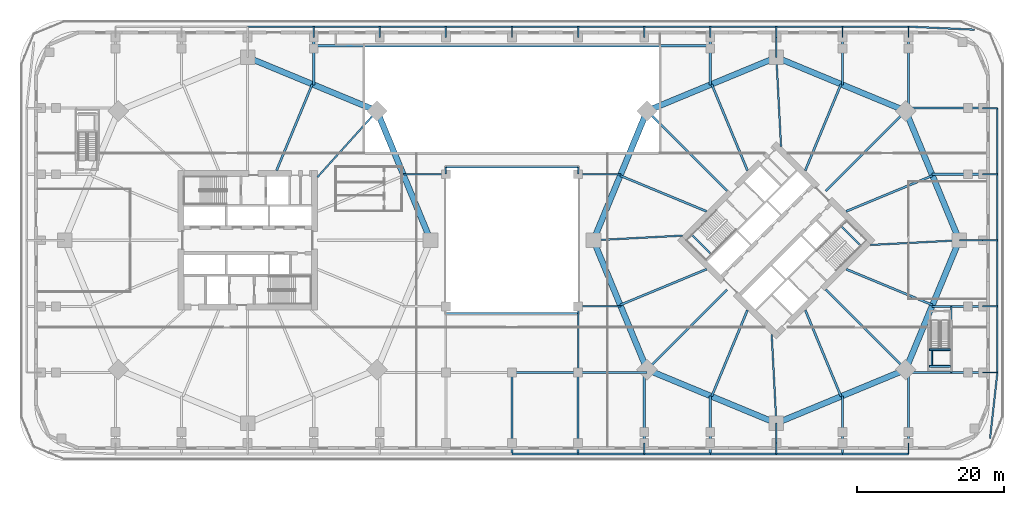
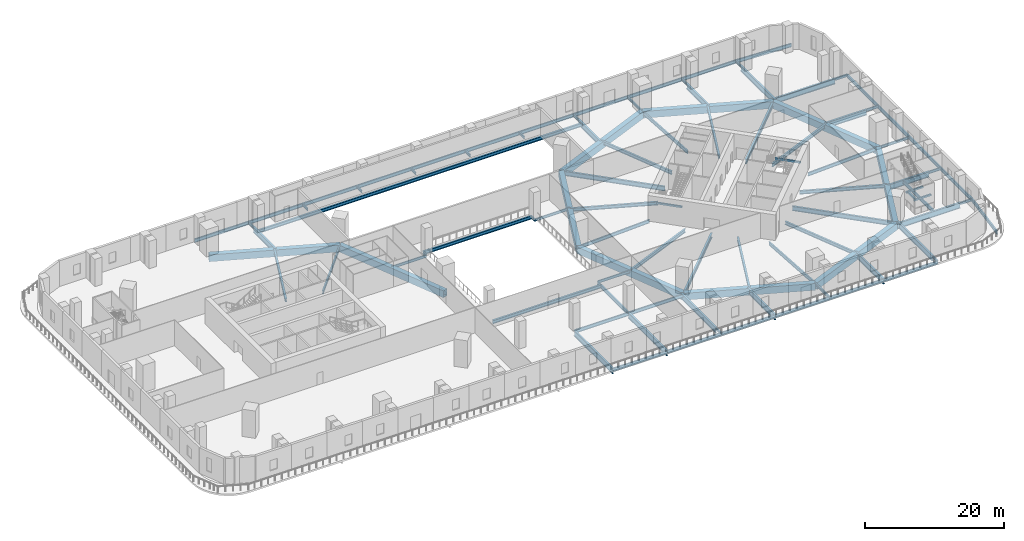
# One storey, part 2 of 17: 102 beams.
"""IFC4 building model written with IfcOpenShell, lengths in metres."""

from ifc_helpers import new_model, si_unit, direction, frame, origin, origin_2d, place, context, subcontext, project, spatial, rectangle, hollow_rectangle, i_section, extrude, material, material_profile, profile_set, type_object, element, save


model = new_model("IFC4")

# Units and contexts
model_context = context("Model", 3, precision=1e-05, world=origin(), true_north=direction((0.0, 1.0)))
body_context = subcontext(model_context, "Body", "Model", "MODEL_VIEW")
ifc_project = project(units=[si_unit("LENGTHUNIT", "METRE"), si_unit("AREAUNIT", "SQUARE_METRE"), si_unit("VOLUMEUNIT", "CUBIC_METRE"), si_unit("PLANEANGLEUNIT", "RADIAN"), si_unit("MASSUNIT", "GRAM", prefix="KILO")], contexts=[model_context])

# Site, building, storey
site_placement = place(None, origin())
site = spatial("IfcSite", under=ifc_project, at=site_placement, CompositionType="ELEMENT")
building_placement = place(site_placement, origin())
building = spatial("IfcBuilding", under=site, at=building_placement, Name="Ogive Gate Towers", CompositionType="ELEMENT")
storey_placement = place(building_placement, frame((0.0, 0.0, 18.0)))
storey = spatial("IfcBuildingStorey", under=building, at=storey_placement, Name="L03", CompositionType="ELEMENT", Elevation=18.0)

# Beams
ifc_material_1 = material(Name="Steel SM460", Category="steel")
ifc_material_profile_1 = material_profile(ifc_material_1, hollow_rectangle(XDim=0.800048828125, YDim=1.199951171875, WallThickness=0.050048828125, at=origin_2d()), Name="BX 1200x800x50")
ifc_profile_set_1 = profile_set([ifc_material_profile_1], Name="Steel SM460")
beam_type_1 = type_object("IfcBeamType", Name="Edge girder BX 1200x800x50", PredefinedType="BEAM", material=ifc_profile_set_1)
for number, where, z_axis, x_axis, name in (
    (1, (-11.090087890625, 0.0, -0.89990234375), (-0.382680526191, 0.923880736283, 0.0), (-0.923880736283, -0.382680526191, 0.0), "T1/L03/SBM020"),
    (2, (-18.385986328125, 17.614013671875, -0.89990234375), (-0.923880736283, 0.382680526191, 0.0), (-0.382680526191, -0.923880736283, 0.0), "T1/L03/SBM021"),
    (3, (18.385986328125, -17.614013671875, -0.89990234375), (0.923880736283, -0.382680526191, 0.0), (0.382680526191, 0.923880736283, 0.0), "T2/L03/SBM017"),
    (4, (36.0, -24.909912109375, -0.89990234375), (0.923880736283, 0.382680526191, 0.0), (-0.382680526191, 0.923880736283, 0.0), "T2/L03/SBM018"),
    (5, (53.614013671875, -17.614013671875, -0.89990234375), (0.382680526191, 0.923880736283, 0.0), (-0.923880736283, 0.382680526191, 0.0), "T2/L03/SBM019"),
    (6, (60.909912109375, 0.0, -0.89990234375), (-0.382680526191, 0.923880736283, 0.0), (-0.923880736283, -0.382680526191, 0.0), "T2/L03/SBM020"),
    (7, (53.614013671875, 17.614013671875, -0.89990234375), (-0.923880736283, 0.382680526191, 0.0), (-0.382680526191, -0.923880736283, 0.0), "T2/L03/SBM021"),
    (8, (36.0, 24.909912109375, -0.89990234375), (-0.923880736283, -0.382680526191, 0.0), (0.382680526191, -0.923880736283, 0.0), "T2/L03/SBM022"),
    (9, (18.385986328125, 17.614013671875, -0.89990234375), (-0.382680526191, -0.923880736283, 0.0), (0.923880736283, -0.382680526191, 0.0), "T2/L03/SBM023"),
    (10, (11.090087890625, 0.0, -0.89990234375), (0.382680526191, -0.923880736283, 0.0), (0.923880736283, 0.382680526191, 0.0), "T2/L03/SBM024"),
):
    element("IfcBeam", number, at=place(storey_placement, frame(where, z_axis=z_axis, x_axis=x_axis)), inside=storey, type_object=beam_type_1, Name=name, PredefinedType="BEAM", context=body_context, shape_type="SweptSolid", body=[
        extrude(hollow_rectangle(XDim=0.800048828125, YDim=1.199951171875, WallThickness=0.050048828125, at=origin_2d()), origin(), (0.0, 0.0, 1.0), 19.065185546875),
    ])
ifc_material_2 = material(Name="Steel SM355", Category="steel")
ifc_material_profile_2 = material_profile(ifc_material_2, i_section(OverallWidth=0.300048828125, OverallDepth=0.590087890625, WebThickness=0.012939453125, FlangeThickness=0.02490234375, FilletRadius=0.027099609375, at=origin_2d()), Name="HE 600 A")
ifc_profile_set_2 = profile_set([ifc_material_profile_2], Name="Steel SM355")
beam_type_2 = type_object("IfcBeamType", Name="Floor beam HE 600 A", PredefinedType="BEAM", material=ifc_profile_set_2)
for number, where, z_axis, x_axis, name in (
    (11, (-9.0, -10.0, -0.594970703125), (1.0, 0.0, 0.0), (0.0, 1.0, 0.0), "PD/L03/SBM105"),
    (12, (-9.0, 10.0, -0.594970703125), (1.0, 0.0, 0.0), (0.0, 1.0, 0.0), "PD/L03/SBM106"),
):
    element("IfcBeam", number, at=place(storey_placement, frame(where, z_axis=z_axis, x_axis=x_axis)), inside=storey, type_object=beam_type_2, Name=name, PredefinedType="BEAM", context=body_context, shape_type="SweptSolid", body=[
        extrude(i_section(OverallWidth=0.300048828125, OverallDepth=0.590087890625, WebThickness=0.012939453125, FlangeThickness=0.02490234375, FilletRadius=0.027099609375, at=origin_2d()), origin(), (0.0, 0.0, 1.0), 18.0),
    ])
beam_1_placement = place(storey_placement, frame((-27.0, 26.5, -0.594970703125), z_axis=(1.0, 0.0, 0.0), x_axis=(0.0, 1.0, 0.0)))
element("IfcBeam", 13, at=beam_1_placement, inside=storey, type_object=beam_type_2, Name="PD/L03/SBM109", PredefinedType="BEAM", context=body_context, shape_type="SweptSolid", body=[
    extrude(i_section(OverallWidth=0.300048828125, OverallDepth=0.590087890625, WebThickness=0.012939453125, FlangeThickness=0.02490234375, FilletRadius=0.027099609375, at=origin_2d()), origin(), (0.0, 0.0, 1.0), 54.0),
])
ifc_material_profile_3 = material_profile(ifc_material_2, i_section(OverallWidth=0.18994140625, OverallDepth=0.449951171875, WebThickness=0.009521484375, FlangeThickness=0.0146484375, FilletRadius=0.02099609375, at=origin_2d()), Name="IPE 450")
ifc_profile_set_3 = profile_set([ifc_material_profile_3], Name="Steel SM355")
beam_type_3 = type_object("IfcBeamType", Name="Floor beam IPE 450", PredefinedType="BEAM", material=ifc_profile_set_3)
for number, where, z_axis, x_axis, name in (
    (14, (-27.0, 27.60009765625, -0.52490234375), (0.0, 1.0, 0.0), (-1.0, 0.0, 0.0), "PD/L03/SBM033"),
    (15, (-18.0, 27.60009765625, -0.52490234375), (0.0, 1.0, 0.0), (-1.0, 0.0, 0.0), "PD/L03/SBM035"),
    (16, (-9.0, 27.60009765625, -0.52490234375), (0.0, 1.0, 0.0), (-1.0, 0.0, 0.0), "PD/L03/SBM037"),
    (17, (0.0, 27.60009765625, -0.52490234375), (0.0, 1.0, 0.0), (-1.0, 0.0, 0.0), "PD/L03/SBM038"),
    (18, (9.0, 27.60009765625, -0.52490234375), (0.0, 1.0, 0.0), (-1.0, 0.0, 0.0), "PD/L03/SBM040"),
    (19, (18.0, -29.10009765625, -0.52490234375), (0.0, 1.0, 0.0), (-1.0, 0.0, 0.0), "PD/L03/SBM041"),
    (20, (18.0, 27.60009765625, -0.52490234375), (0.0, 1.0, 0.0), (-1.0, 0.0, 0.0), "PD/L03/SBM042"),
    (21, (27.0, 27.60009765625, -0.52490234375), (0.0, 1.0, 0.0), (-1.0, 0.0, 0.0), "PD/L03/SBM043"),
    (22, (36.0, -29.10009765625, -0.52490234375), (0.0, 1.0, 0.0), (-1.0, 0.0, 0.0), "PD/L03/SBM044"),
):
    element("IfcBeam", number, at=place(storey_placement, frame(where, z_axis=z_axis, x_axis=x_axis)), inside=storey, type_object=beam_type_3, Name=name, PredefinedType="BEAM", context=body_context, shape_type="SweptSolid", body=[
        extrude(i_section(OverallWidth=0.18994140625, OverallDepth=0.449951171875, WebThickness=0.009521484375, FlangeThickness=0.0146484375, FilletRadius=0.02099609375, at=origin_2d()), origin(), (0.0, 0.0, 1.0), 1.5),
    ])
for number, where, z_axis, x_axis, name in (
    (23, (36.0, -27.60009765625, -0.52490234375), (0.0, 1.0, 0.0), (-1.0, 0.0, 0.0), "PD/L03/SBM045"),
    (24, (36.0, 24.909912109375, -0.52490234375), (0.0, 1.0, 0.0), (-1.0, 0.0, 0.0), "PD/L03/SBM046"),
):
    element("IfcBeam", number, at=place(storey_placement, frame(where, z_axis=z_axis, x_axis=x_axis)), inside=storey, type_object=beam_type_3, Name=name, PredefinedType="BEAM", context=body_context, shape_type="SweptSolid", body=[
        extrude(i_section(OverallWidth=0.18994140625, OverallDepth=0.449951171875, WebThickness=0.009521484375, FlangeThickness=0.0146484375, FilletRadius=0.02099609375, at=origin_2d()), origin(), (0.0, 0.0, 1.0), 2.690185546875),
    ])
for number, where, z_axis, x_axis, name in (
    (25, (36.0, 27.60009765625, -0.52490234375), (0.0, 1.0, 0.0), (-1.0, 0.0, 0.0), "PD/L03/SBM047"),
    (26, (45.0, 27.60009765625, -0.52490234375), (0.0, 1.0, 0.0), (-1.0, 0.0, 0.0), "PD/L03/SBM048"),
    (27, (54.0, -29.10009765625, -0.52490234375), (0.0, 1.0, 0.0), (-1.0, 0.0, 0.0), "PD/L03/SBM049"),
    (28, (54.0, 27.60009765625, -0.52490234375), (0.0, 1.0, 0.0), (-1.0, 0.0, 0.0), "PD/L03/SBM050"),
):
    element("IfcBeam", number, at=place(storey_placement, frame(where, z_axis=z_axis, x_axis=x_axis)), inside=storey, type_object=beam_type_3, Name=name, PredefinedType="BEAM", context=body_context, shape_type="SweptSolid", body=[
        extrude(i_section(OverallWidth=0.18994140625, OverallDepth=0.449951171875, WebThickness=0.009521484375, FlangeThickness=0.0146484375, FilletRadius=0.02099609375, at=origin_2d()), origin(), (0.0, 0.0, 1.0), 1.5),
    ])
for number, where, z_axis, x_axis, name in (
    (29, (64.10009765625, -18.0, -0.52490234375), (1.0, 0.0, 0.0), (0.0, 1.0, 0.0), "PD/L03/SBM056"),
    (30, (64.10009765625, -9.0, -0.52490234375), (1.0, 0.0, 0.0), (0.0, 1.0, 0.0), "PD/L03/SBM057"),
):
    element("IfcBeam", number, at=place(storey_placement, frame(where, z_axis=z_axis, x_axis=x_axis)), inside=storey, type_object=beam_type_3, Name=name, PredefinedType="BEAM", context=body_context, shape_type="SweptSolid", body=[
        extrude(i_section(OverallWidth=0.18994140625, OverallDepth=0.449951171875, WebThickness=0.009521484375, FlangeThickness=0.0146484375, FilletRadius=0.02099609375, at=origin_2d()), origin(), (0.0, 0.0, 1.0), 2.0),
    ])
beam_2_placement = place(storey_placement, frame((60.909912109375, 0.0, -0.52490234375), z_axis=(1.0, 0.0, 0.0), x_axis=(0.0, 1.0, 0.0)))
element("IfcBeam", 31, at=beam_2_placement, inside=storey, type_object=beam_type_3, Name="PD/L03/SBM060", PredefinedType="BEAM", context=body_context, shape_type="SweptSolid", body=[
    extrude(i_section(OverallWidth=0.18994140625, OverallDepth=0.449951171875, WebThickness=0.009521484375, FlangeThickness=0.0146484375, FilletRadius=0.02099609375, at=origin_2d()), origin(), (0.0, 0.0, 1.0), 3.190185546875),
])
for number, where, z_axis, x_axis, name in (
    (32, (64.10009765625, 0.0, -0.52490234375), (1.0, 0.0, 0.0), (0.0, 1.0, 0.0), "PD/L03/SBM061"),
    (33, (64.10009765625, 9.0, -0.52490234375), (1.0, 0.0, 0.0), (0.0, 1.0, 0.0), "PD/L03/SBM062"),
    (34, (64.10009765625, 18.0, -0.52490234375), (1.0, 0.0, 0.0), (0.0, 1.0, 0.0), "PD/L03/SBM064"),
):
    element("IfcBeam", number, at=place(storey_placement, frame(where, z_axis=z_axis, x_axis=x_axis)), inside=storey, type_object=beam_type_3, Name=name, PredefinedType="BEAM", context=body_context, shape_type="SweptSolid", body=[
        extrude(i_section(OverallWidth=0.18994140625, OverallDepth=0.449951171875, WebThickness=0.009521484375, FlangeThickness=0.0146484375, FilletRadius=0.02099609375, at=origin_2d()), origin(), (0.0, 0.0, 1.0), 2.0),
    ])
for number, where, z_axis, x_axis, name in (
    (35, (-9.0, 9.0, -0.52490234375), (-1.0, 0.0, 0.0), (0.0, -1.0, 0.0), "PD/L03/SBM102"),
    (36, (9.0, -9.0, -0.52490234375), (1.0, 0.0, 0.0), (0.0, 1.0, 0.0), "PD/L03/SBM103"),
    (37, (9.0, 9.0, -0.52490234375), (1.0, 0.0, 0.0), (0.0, 1.0, 0.0), "PD/L03/SBM104"),
):
    element("IfcBeam", number, at=place(storey_placement, frame(where, z_axis=z_axis, x_axis=x_axis)), inside=storey, type_object=beam_type_3, Name=name, PredefinedType="BEAM", context=body_context, shape_type="SweptSolid", body=[
        extrude(i_section(OverallWidth=0.18994140625, OverallDepth=0.449951171875, WebThickness=0.009521484375, FlangeThickness=0.0146484375, FilletRadius=0.02099609375, at=origin_2d()), origin(), (0.0, 0.0, 1.0), 5.81787109375),
    ])
for number, where, z_axis, x_axis, name in (
    (38, (-9.0, 9.0, -0.52490234375), (0.0, 1.0, 0.0), (-1.0, 0.0, 0.0), "PD/L03/SBM107"),
    (39, (9.0, 9.0, -0.52490234375), (0.0, 1.0, 0.0), (-1.0, 0.0, 0.0), "PD/L03/SBM108"),
):
    element("IfcBeam", number, at=place(storey_placement, frame(where, z_axis=z_axis, x_axis=x_axis)), inside=storey, type_object=beam_type_3, Name=name, PredefinedType="BEAM", context=body_context, shape_type="SweptSolid", body=[
        extrude(i_section(OverallWidth=0.18994140625, OverallDepth=0.449951171875, WebThickness=0.009521484375, FlangeThickness=0.0146484375, FilletRadius=0.02099609375, at=origin_2d()), origin(), (0.0, 0.0, 1.0), 1.0),
    ])
ifc_material_profile_4 = material_profile(ifc_material_2, i_section(OverallWidth=0.219970703125, OverallDepth=0.60009765625, WebThickness=0.011962890625, FlangeThickness=0.01904296875, FilletRadius=0.02392578125, at=origin_2d()), Name="IPE 600")
ifc_profile_set_4 = profile_set([ifc_material_profile_4], Name="Steel SM355")
beam_type_4 = type_object("IfcBeamType", Name="Floor beam IPE 600", PredefinedType="BEAM", material=ifc_profile_set_4)
for number, where, z_axis, x_axis, name in (
    (40, (9.0, -18.0, -0.60009765625), (0.0, 1.0, 0.0), (-1.0, 0.0, 0.0), "PD/L03/SBM039"),
    (41, (0.0, -18.0, -0.60009765625), (1.0, 0.0, 0.0), (0.0, 1.0, 0.0), "PD/L03/SBM054"),
):
    element("IfcBeam", number, at=place(storey_placement, frame(where, z_axis=z_axis, x_axis=x_axis)), inside=storey, type_object=beam_type_4, Name=name, PredefinedType="BEAM", context=body_context, shape_type="SweptSolid", body=[
        extrude(i_section(OverallWidth=0.219970703125, OverallDepth=0.60009765625, WebThickness=0.011962890625, FlangeThickness=0.01904296875, FilletRadius=0.02392578125, at=origin_2d()), origin(), (0.0, 0.0, 1.0), 9.0),
    ])
beam_3_placement = place(storey_placement, frame((9.0, -18.0, -0.60009765625), z_axis=(1.0, 0.0, 0.0), x_axis=(0.0, 1.0, 0.0)))
element("IfcBeam", 42, at=beam_3_placement, inside=storey, type_object=beam_type_4, Name="PD/L03/SBM055", PredefinedType="BEAM", context=body_context, shape_type="SweptSolid", body=[
    extrude(i_section(OverallWidth=0.219970703125, OverallDepth=0.60009765625, WebThickness=0.011962890625, FlangeThickness=0.01904296875, FilletRadius=0.02392578125, at=origin_2d()), origin(), (0.0, 0.0, 1.0), 9.385986328125),
])
for number, where, z_axis, x_axis, name in (
    (43, (54.0, -29.10009765625, -0.60009765625), (-1.0, 0.0, 0.0), (0.0, -1.0, 0.0), "PD/L03/SBM065"),
    (44, (45.0, -29.10009765625, -0.60009765625), (-1.0, 0.0, 0.0), (0.0, -1.0, 0.0), "PD/L03/SBM066"),
    (45, (36.0, -29.10009765625, -0.60009765625), (-1.0, 0.0, 0.0), (0.0, -1.0, 0.0), "PD/L03/SBM067"),
    (46, (27.0, -29.10009765625, -0.60009765625), (-1.0, 0.0, 0.0), (0.0, -1.0, 0.0), "PD/L03/SBM068"),
    (47, (18.0, -29.10009765625, -0.60009765625), (-1.0, 0.0, 0.0), (0.0, -1.0, 0.0), "PD/L03/SBM069"),
    (48, (9.0, -29.10009765625, -0.60009765625), (-1.0, 0.0, 0.0), (0.0, -1.0, 0.0), "PD/L03/SBM070"),
    (49, (-36.0, 29.10009765625, -0.60009765625), (1.0, 0.0, 0.0), (0.0, 1.0, 0.0), "PD/L03/SBM085"),
    (50, (-27.0, 29.10009765625, -0.60009765625), (1.0, 0.0, 0.0), (0.0, 1.0, 0.0), "PD/L03/SBM086"),
    (51, (-18.0, 29.10009765625, -0.60009765625), (1.0, 0.0, 0.0), (0.0, 1.0, 0.0), "PD/L03/SBM087"),
    (52, (-9.0, 29.10009765625, -0.60009765625), (1.0, 0.0, 0.0), (0.0, 1.0, 0.0), "PD/L03/SBM088"),
    (53, (0.0, 29.10009765625, -0.60009765625), (1.0, 0.0, 0.0), (0.0, 1.0, 0.0), "PD/L03/SBM089"),
    (54, (9.0, 29.10009765625, -0.60009765625), (1.0, 0.0, 0.0), (0.0, 1.0, 0.0), "PD/L03/SBM090"),
    (55, (18.0, 29.10009765625, -0.60009765625), (1.0, 0.0, 0.0), (0.0, 1.0, 0.0), "PD/L03/SBM091"),
    (56, (27.0, 29.10009765625, -0.60009765625), (1.0, 0.0, 0.0), (0.0, 1.0, 0.0), "PD/L03/SBM092"),
    (57, (36.0, 29.10009765625, -0.60009765625), (1.0, 0.0, 0.0), (0.0, 1.0, 0.0), "PD/L03/SBM093"),
    (58, (45.0, 29.10009765625, -0.60009765625), (1.0, 0.0, 0.0), (0.0, 1.0, 0.0), "PD/L03/SBM094"),
):
    element("IfcBeam", number, at=place(storey_placement, frame(where, z_axis=z_axis, x_axis=x_axis)), inside=storey, type_object=beam_type_4, Name=name, PredefinedType="BEAM", context=body_context, shape_type="SweptSolid", body=[
        extrude(i_section(OverallWidth=0.219970703125, OverallDepth=0.60009765625, WebThickness=0.011962890625, FlangeThickness=0.01904296875, FilletRadius=0.02392578125, at=origin_2d()), origin(), (0.0, 0.0, 1.0), 9.0),
    ])
beam_4_placement = place(storey_placement, frame((54.0, 29.10009765625, -0.60009765625), z_axis=(0.998917071536, -0.04652616677, 0.0), x_axis=(0.04652616677, 0.998917071536, 0.0)))
element("IfcBeam", 59, at=beam_4_placement, inside=storey, type_object=beam_type_4, Name="PD/L03/SBM095", PredefinedType="BEAM", context=body_context, shape_type="SweptSolid", body=[
    extrude(i_section(OverallWidth=0.219970703125, OverallDepth=0.60009765625, WebThickness=0.011962890625, FlangeThickness=0.01904296875, FilletRadius=0.02392578125, at=origin_2d()), origin(), (0.0, 0.0, 1.0), 9.009765625),
])
for number, where, z_axis, x_axis, name in (
    (60, (66.10009765625, 18.0, -0.60009765625), (0.0, -1.0, 0.0), (1.0, 0.0, 0.0), "PD/L03/SBM096"),
    (61, (66.10009765625, 9.0, -0.60009765625), (0.0, -1.0, 0.0), (1.0, 0.0, 0.0), "PD/L03/SBM097"),
    (62, (66.10009765625, 0.0, -0.60009765625), (0.0, -1.0, 0.0), (1.0, 0.0, 0.0), "PD/L03/SBM098"),
    (63, (66.10009765625, -9.0, -0.60009765625), (0.0, -1.0, 0.0), (1.0, 0.0, 0.0), "PD/L03/SBM099"),
):
    element("IfcBeam", number, at=place(storey_placement, frame(where, z_axis=z_axis, x_axis=x_axis)), inside=storey, type_object=beam_type_4, Name=name, PredefinedType="BEAM", context=body_context, shape_type="SweptSolid", body=[
        extrude(i_section(OverallWidth=0.219970703125, OverallDepth=0.60009765625, WebThickness=0.011962890625, FlangeThickness=0.01904296875, FilletRadius=0.02392578125, at=origin_2d()), origin(), (0.0, 0.0, 1.0), 9.0),
    ])
beam_5_placement = place(storey_placement, frame((66.10009765625, -18.0, -0.60009765625), z_axis=(-0.110644574708, -0.993860039486, 0.0), x_axis=(0.993860039486, -0.110644574708, 0.0)))
element("IfcBeam", 64, at=beam_5_placement, inside=storey, type_object=beam_type_4, Name="PD/L03/SBM100", PredefinedType="BEAM", context=body_context, shape_type="SweptSolid", body=[
    extrude(i_section(OverallWidth=0.219970703125, OverallDepth=0.60009765625, WebThickness=0.011962890625, FlangeThickness=0.01904296875, FilletRadius=0.02392578125, at=origin_2d()), origin(), (0.0, 0.0, 1.0), 9.0556640625),
])
beam_6_placement = place(storey_placement, frame((59.800048828125, -18.0, -0.60009765625), z_axis=(0.0, 1.0, 0.0), x_axis=(-1.0, 0.0, 0.0)))
element("IfcBeam", 65, at=beam_6_placement, inside=storey, type_object=beam_type_4, Name="PD/L03/SBM111", PredefinedType="BEAM", context=body_context, shape_type="SweptSolid", body=[
    extrude(i_section(OverallWidth=0.219970703125, OverallDepth=0.60009765625, WebThickness=0.011962890625, FlangeThickness=0.01904296875, FilletRadius=0.02392578125, at=origin_2d()), origin(), (0.0, 0.0, 1.0), 9.0),
])
ifc_material_3 = material(Name="Concrete C40/50", Category="concrete")
ifc_material_profile_5 = material_profile(ifc_material_3, rectangle(XDim=0.25, YDim=0.300048828125, at=origin_2d()), Name="RC 250x300")
ifc_profile_set_5 = profile_set([ifc_material_profile_5], Name="Concrete C40/50")
beam_type_5 = type_object("IfcBeamType", Name="Landing bearer RC 250x300", PredefinedType="BEAM", material=ifc_profile_set_5)
for number, where, z_axis, x_axis, name in (
    (66, (24.472412109375, 0.77587890625, 2.050048828125), (0.707106781187, -0.707106781187, 0.0), (0.707106781187, 0.707106781187, 0.0), "T2 L03 stair 1 landing bearer 1"),
    (67, (47.527587890625, -0.77587890625, 2.050048828125), (-0.707106781187, 0.707106781187, 0.0), (-0.707106781187, -0.707106781187, 0.0), "T2 L03 stair 2 landing bearer 1"),
):
    element("IfcBeam", number, at=place(storey_placement, frame(where, z_axis=z_axis, x_axis=x_axis)), inside=storey, type_object=beam_type_5, Name=name, PredefinedType="BEAM", context=body_context, shape_type="SweptSolid", body=[
        extrude(rectangle(XDim=0.25, YDim=0.300048828125, at=origin_2d()), origin(), (0.0, 0.0, 1.0), 3.824951171875),
    ])
ifc_material_profile_6 = material_profile(ifc_material_3, rectangle(XDim=0.25, YDim=0.300048828125, at=origin_2d()), Name="RC 250x300")
ifc_profile_set_6 = profile_set([ifc_material_profile_6], Name="Concrete C40/50")
beam_type_6 = type_object("IfcBeamType", Name="Landing bearer RC 250x300 (stair)", PredefinedType="BEAM", material=ifc_profile_set_6)
for number, where, z_axis, x_axis, name in (
    (68, (56.85009765625, -14.889892578125, 2.050048828125), (1.0, 0.0, 0.0), (0.0, 1.0, 0.0), "PS2 L03 landing 1 bearer 1"),
    (69, (56.85009765625, -17.169921875, 2.050048828125), (1.0, 0.0, 0.0), (0.0, 1.0, 0.0), "PS2 L03 landing 1 bearer 2"),
):
    element("IfcBeam", number, at=place(storey_placement, frame(where, z_axis=z_axis, x_axis=x_axis)), inside=storey, type_object=beam_type_6, Name=name, PredefinedType="BEAM", context=body_context, shape_type="SweptSolid", body=[
        extrude(rectangle(XDim=0.25, YDim=0.300048828125, at=origin_2d()), origin(), (0.0, 0.0, 1.0), 2.849853515625),
    ])
beam_7_placement = place(storey_placement, frame((57.199951171875, -15.014892578125, 2.050048828125), z_axis=(0.0, -1.0, 0.0), x_axis=(1.0, 0.0, 0.0)))
element("IfcBeam", 70, at=beam_7_placement, inside=storey, type_object=beam_type_6, Name="PS2 L03 landing 1 bearer 3", PredefinedType="BEAM", context=body_context, shape_type="SweptSolid", body=[
    extrude(rectangle(XDim=0.25, YDim=0.300048828125, at=origin_2d()), origin(), (0.0, 0.0, 1.0), 2.030029296875),
])
ifc_material_profile_7 = material_profile(ifc_material_2, i_section(OverallWidth=0.300048828125, OverallDepth=0.590087890625, WebThickness=0.012939453125, FlangeThickness=0.02490234375, FilletRadius=0.027099609375, at=origin_2d()), Name="HE 600 A")
ifc_profile_set_7 = profile_set([ifc_material_profile_7], Name="Steel SM355")
beam_type_7 = type_object("IfcBeamType", Name="Radial floor beam HE 600 A", PredefinedType="BEAM", material=ifc_profile_set_7)
for number, where, z_axis, x_axis, name in (
    (71, (-32.06494140625, 9.5, -0.594970703125), (0.382690523214, 0.923876595354, 0.0), (-0.923876595354, 0.382690523214, 0.0), "T1/L03/SBM010"),
    (72, (32.06494140625, -9.5, -0.594970703125), (-0.382690523214, -0.923876595354, 0.0), (0.923876595354, -0.382690523214, 0.0), "T2/L03/SBM002"),
    (73, (39.93505859375, -9.5, -0.594970703125), (0.382690523214, -0.923876595354, 0.0), (0.923876595354, 0.382690523214, 0.0), "T2/L03/SBM004"),
    (74, (45.5, -3.93505859375, -0.594970703125), (0.923876595354, -0.382690523214, 0.0), (0.382690523214, 0.923876595354, 0.0), "T2/L03/SBM006"),
    (75, (45.5, 3.93505859375, -0.594970703125), (0.923876595354, 0.382690523214, 0.0), (-0.382690523214, 0.923876595354, 0.0), "T2/L03/SBM008"),
    (76, (39.93505859375, 9.5, -0.594970703125), (0.382690523214, 0.923876595354, 0.0), (-0.923876595354, 0.382690523214, 0.0), "T2/L03/SBM010"),
    (77, (32.06494140625, 9.5, -0.594970703125), (-0.382690523214, 0.923876595354, 0.0), (-0.923876595354, -0.382690523214, 0.0), "T2/L03/SBM012"),
    (78, (26.5, 3.93505859375, -0.594970703125), (-0.923876595354, 0.382690523214, 0.0), (-0.382690523214, -0.923876595354, 0.0), "T2/L03/SBM014"),
    (79, (26.5, -3.93505859375, -0.594970703125), (-0.923876595354, -0.382690523214, 0.0), (0.382690523214, -0.923876595354, 0.0), "T2/L03/SBM016"),
):
    element("IfcBeam", number, at=place(storey_placement, frame(where, z_axis=z_axis, x_axis=x_axis)), inside=storey, type_object=beam_type_7, Name=name, PredefinedType="BEAM", context=body_context, shape_type="SweptSolid", body=[
        extrude(i_section(OverallWidth=0.300048828125, OverallDepth=0.590087890625, WebThickness=0.012939453125, FlangeThickness=0.02490234375, FilletRadius=0.027099609375, at=origin_2d()), origin(), (0.0, 0.0, 1.0), 12.731201171875),
    ])
ifc_material_profile_8 = material_profile(ifc_material_2, i_section(OverallWidth=0.300048828125, OverallDepth=0.7900390625, WebThickness=0.014892578125, FlangeThickness=0.028076171875, FilletRadius=0.030029296875, at=origin_2d()), Name="HE 800 A")
ifc_profile_set_8 = profile_set([ifc_material_profile_8], Name="Steel SM355")
beam_type_8 = type_object("IfcBeamType", Name="Radial floor beam HE 800 A", PredefinedType="BEAM", material=ifc_profile_set_8)
for number, where, z_axis, x_axis, name in (
    (80, (29.282470703125, -6.717529296875, -0.695068359375), (-0.707106781187, -0.707106781187, 0.0), (0.707106781187, -0.707106781187, 0.0), "T2/L03/SBM001"),
    (81, (42.717529296875, -6.717529296875, -0.695068359375), (0.707106781187, -0.707106781187, 0.0), (0.707106781187, 0.707106781187, 0.0), "T2/L03/SBM005"),
    (82, (42.717529296875, 6.717529296875, -0.695068359375), (0.707106781187, 0.707106781187, 0.0), (-0.707106781187, 0.707106781187, 0.0), "T2/L03/SBM009"),
    (83, (29.282470703125, 6.717529296875, -0.695068359375), (-0.707106781187, 0.707106781187, 0.0), (-0.707106781187, -0.707106781187, 0.0), "T2/L03/SBM013"),
):
    element("IfcBeam", number, at=place(storey_placement, frame(where, z_axis=z_axis, x_axis=x_axis)), inside=storey, type_object=beam_type_8, Name=name, PredefinedType="BEAM", context=body_context, shape_type="SweptSolid", body=[
        extrude(i_section(OverallWidth=0.300048828125, OverallDepth=0.7900390625, WebThickness=0.014892578125, FlangeThickness=0.028076171875, FilletRadius=0.030029296875, at=origin_2d()), origin(), (0.0, 0.0, 1.0), 15.409912109375),
    ])
ifc_material_profile_9 = material_profile(ifc_material_2, i_section(OverallWidth=0.219970703125, OverallDepth=0.60009765625, WebThickness=0.011962890625, FlangeThickness=0.01904296875, FilletRadius=0.02392578125, at=origin_2d()), Name="IPE 600")
ifc_profile_set_9 = profile_set([ifc_material_profile_9], Name="Steel SM355")
beam_type_9 = type_object("IfcBeamType", Name="Radial floor beam IPE 600", PredefinedType="BEAM", material=ifc_profile_set_9)
for number, where, z_axis, x_axis, name in (
    (84, (-26.5, 8.60009765625, -0.60009765625), (0.669032571491, 0.743233084761, 0.0), (-0.743233084761, 0.669032571491, 0.0), "T1/L03/SBM009"),
    (85, (35.363525390625, -12.798583984375, -0.60009765625), (0.052479590907, -0.998621996823, 0.0), (0.998621996823, 0.052479590907, 0.0), "T2/L03/SBM003"),
    (86, (48.798583984375, -0.636474609375, -0.60009765625), (0.998621996823, 0.052479590907, 0.0), (-0.052479590907, 0.998621996823, 0.0), "T2/L03/SBM007"),
    (87, (36.636474609375, 12.798583984375, -0.60009765625), (-0.052479590907, 0.998621996823, 0.0), (-0.998621996823, -0.052479590907, 0.0), "T2/L03/SBM011"),
    (88, (23.201416015625, 0.636474609375, -0.60009765625), (-0.998621996823, -0.052479590907, 0.0), (0.052479590907, -0.998621996823, 0.0), "T2/L03/SBM015"),
):
    element("IfcBeam", number, at=place(storey_placement, frame(where, z_axis=z_axis, x_axis=x_axis)), inside=storey, type_object=beam_type_9, Name=name, PredefinedType="BEAM", context=body_context, shape_type="SweptSolid", body=[
        extrude(i_section(OverallWidth=0.219970703125, OverallDepth=0.60009765625, WebThickness=0.011962890625, FlangeThickness=0.01904296875, FilletRadius=0.02392578125, at=origin_2d()), origin(), (0.0, 0.0, 1.0), 12.1279296875),
    ])
ifc_material_profile_10 = material_profile(ifc_material_1, i_section(OverallWidth=0.300048828125, OverallDepth=0.989990234375, WebThickness=0.0166015625, FlangeThickness=0.031005859375, FilletRadius=0.030029296875, at=origin_2d()), Name="HE 1000 A")
ifc_profile_set_10 = profile_set([ifc_material_profile_10], Name="Steel SM460")
beam_type_10 = type_object("IfcBeamType", Name="Transfer girder HE 1000 A", PredefinedType="BEAM", material=ifc_profile_set_10)
for number, where, z_axis, x_axis, name in (
    (89, (0.0, -29.10009765625, -0.794921875), (0.0, 1.0, 0.0), (-1.0, 0.0, 0.0), "PD/L03/SBM005"),
    (90, (9.0, -29.10009765625, -0.794921875), (0.0, 1.0, 0.0), (-1.0, 0.0, 0.0), "PD/L03/SBM006"),
):
    element("IfcBeam", number, at=place(storey_placement, frame(where, z_axis=z_axis, x_axis=x_axis)), inside=storey, type_object=beam_type_10, Name=name, PredefinedType="BEAM", context=body_context, shape_type="SweptSolid", body=[
        extrude(i_section(OverallWidth=0.300048828125, OverallDepth=0.989990234375, WebThickness=0.0166015625, FlangeThickness=0.031005859375, FilletRadius=0.030029296875, at=origin_2d()), origin(), (0.0, 0.0, 1.0), 11.10009765625),
    ])
for number, where, z_axis, x_axis, name in (
    (91, (18.0, -27.60009765625, -0.794921875), (0.0, 1.0, 0.0), (-1.0, 0.0, 0.0), "PD/L03/SBM007"),
    (92, (54.0, -27.60009765625, -0.794921875), (0.0, 1.0, 0.0), (-1.0, 0.0, 0.0), "PD/L03/SBM008"),
    (93, (54.0, 17.614013671875, -0.794921875), (0.0, 1.0, 0.0), (-1.0, 0.0, 0.0), "PD/L03/SBM009"),
):
    element("IfcBeam", number, at=place(storey_placement, frame(where, z_axis=z_axis, x_axis=x_axis)), inside=storey, type_object=beam_type_10, Name=name, PredefinedType="BEAM", context=body_context, shape_type="SweptSolid", body=[
        extrude(i_section(OverallWidth=0.300048828125, OverallDepth=0.989990234375, WebThickness=0.0166015625, FlangeThickness=0.031005859375, FilletRadius=0.030029296875, at=origin_2d()), origin(), (0.0, 0.0, 1.0), 9.986083984375),
    ])
for number, where, z_axis, x_axis, name in (
    (94, (53.614013671875, -18.0, -0.794921875), (1.0, 0.0, 0.0), (0.0, 1.0, 0.0), "PD/L03/SBM011"),
    (95, (53.614013671875, 18.0, -0.794921875), (1.0, 0.0, 0.0), (0.0, 1.0, 0.0), "PD/L03/SBM013"),
):
    element("IfcBeam", number, at=place(storey_placement, frame(where, z_axis=z_axis, x_axis=x_axis)), inside=storey, type_object=beam_type_10, Name=name, PredefinedType="BEAM", context=body_context, shape_type="SweptSolid", body=[
        extrude(i_section(OverallWidth=0.300048828125, OverallDepth=0.989990234375, WebThickness=0.0166015625, FlangeThickness=0.031005859375, FilletRadius=0.030029296875, at=origin_2d()), origin(), (0.0, 0.0, 1.0), 10.486083984375),
    ])
beam_8_placement = place(storey_placement, frame((-27.0, 27.60009765625, -0.794921875), z_axis=(0.0, -1.0, 0.0), x_axis=(1.0, 0.0, 0.0)))
element("IfcBeam", 96, at=beam_8_placement, inside=storey, type_object=beam_type_10, Name="PD/L03/SBM019", PredefinedType="BEAM", context=body_context, shape_type="SweptSolid", body=[
    extrude(i_section(OverallWidth=0.300048828125, OverallDepth=0.989990234375, WebThickness=0.0166015625, FlangeThickness=0.031005859375, FilletRadius=0.030029296875, at=origin_2d()), origin(), (0.0, 0.0, 1.0), 6.41796875),
])
beam_9_placement = place(storey_placement, frame((27.0, -29.10009765625, -0.794921875), z_axis=(0.0, 1.0, 0.0), x_axis=(-1.0, 0.0, 0.0)))
element("IfcBeam", 97, at=beam_9_placement, inside=storey, type_object=beam_type_10, Name="PD/L03/SBM020", PredefinedType="BEAM", context=body_context, shape_type="SweptSolid", body=[
    extrude(i_section(OverallWidth=0.300048828125, OverallDepth=0.989990234375, WebThickness=0.0166015625, FlangeThickness=0.031005859375, FilletRadius=0.030029296875, at=origin_2d()), origin(), (0.0, 0.0, 1.0), 7.91796875),
])
beam_10_placement = place(storey_placement, frame((27.0, 27.60009765625, -0.794921875), z_axis=(0.0, -1.0, 0.0), x_axis=(1.0, 0.0, 0.0)))
element("IfcBeam", 98, at=beam_10_placement, inside=storey, type_object=beam_type_10, Name="PD/L03/SBM021", PredefinedType="BEAM", context=body_context, shape_type="SweptSolid", body=[
    extrude(i_section(OverallWidth=0.300048828125, OverallDepth=0.989990234375, WebThickness=0.0166015625, FlangeThickness=0.031005859375, FilletRadius=0.030029296875, at=origin_2d()), origin(), (0.0, 0.0, 1.0), 6.41796875),
])
beam_11_placement = place(storey_placement, frame((45.0, -29.10009765625, -0.794921875), z_axis=(0.0, 1.0, 0.0), x_axis=(-1.0, 0.0, 0.0)))
element("IfcBeam", 99, at=beam_11_placement, inside=storey, type_object=beam_type_10, Name="PD/L03/SBM022", PredefinedType="BEAM", context=body_context, shape_type="SweptSolid", body=[
    extrude(i_section(OverallWidth=0.300048828125, OverallDepth=0.989990234375, WebThickness=0.0166015625, FlangeThickness=0.031005859375, FilletRadius=0.030029296875, at=origin_2d()), origin(), (0.0, 0.0, 1.0), 7.91796875),
])
beam_12_placement = place(storey_placement, frame((45.0, 27.60009765625, -0.794921875), z_axis=(0.0, -1.0, 0.0), x_axis=(1.0, 0.0, 0.0)))
element("IfcBeam", 100, at=beam_12_placement, inside=storey, type_object=beam_type_10, Name="PD/L03/SBM023", PredefinedType="BEAM", context=body_context, shape_type="SweptSolid", body=[
    extrude(i_section(OverallWidth=0.300048828125, OverallDepth=0.989990234375, WebThickness=0.0166015625, FlangeThickness=0.031005859375, FilletRadius=0.030029296875, at=origin_2d()), origin(), (0.0, 0.0, 1.0), 6.41796875),
])
for number, where, z_axis, x_axis, name in (
    (101, (64.10009765625, -9.0, -0.794921875), (-1.0, 0.0, 0.0), (0.0, -1.0, 0.0), "PD/L03/SBM024"),
    (102, (64.10009765625, 9.0, -0.794921875), (-1.0, 0.0, 0.0), (0.0, -1.0, 0.0), "PD/L03/SBM025"),
):
    element("IfcBeam", number, at=place(storey_placement, frame(where, z_axis=z_axis, x_axis=x_axis)), inside=storey, type_object=beam_type_10, Name=name, PredefinedType="BEAM", context=body_context, shape_type="SweptSolid", body=[
        extrude(i_section(OverallWidth=0.300048828125, OverallDepth=0.989990234375, WebThickness=0.0166015625, FlangeThickness=0.031005859375, FilletRadius=0.030029296875, at=origin_2d()), origin(), (0.0, 0.0, 1.0), 6.91796875),
    ])

save(model, "model.ifc")
